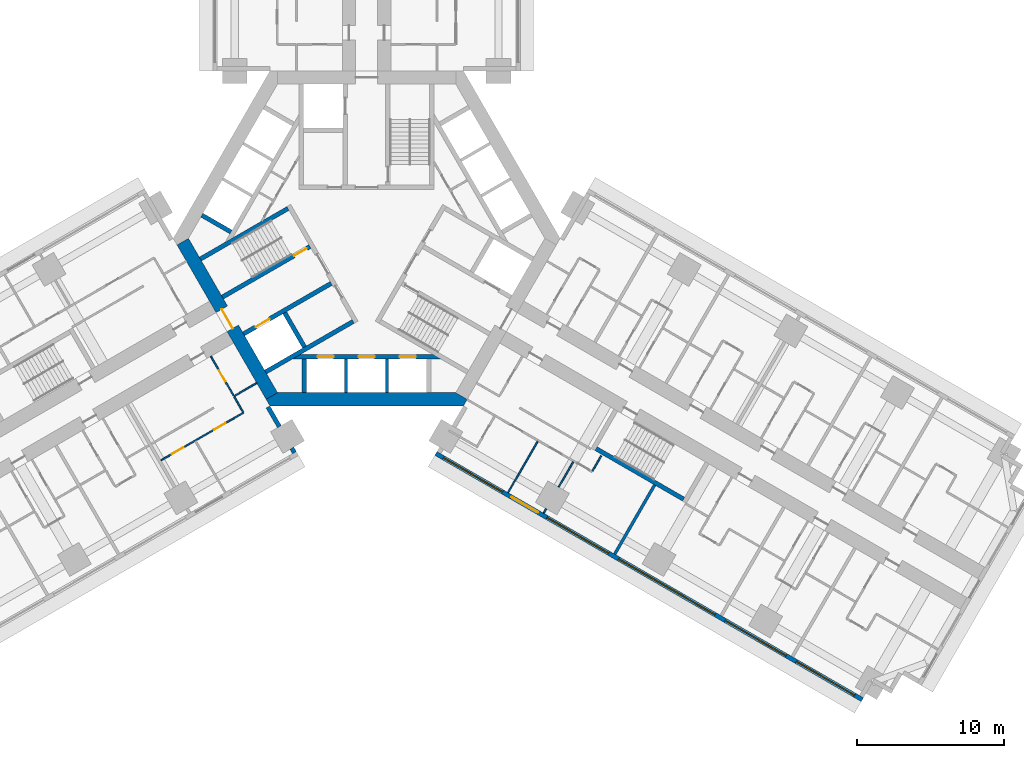
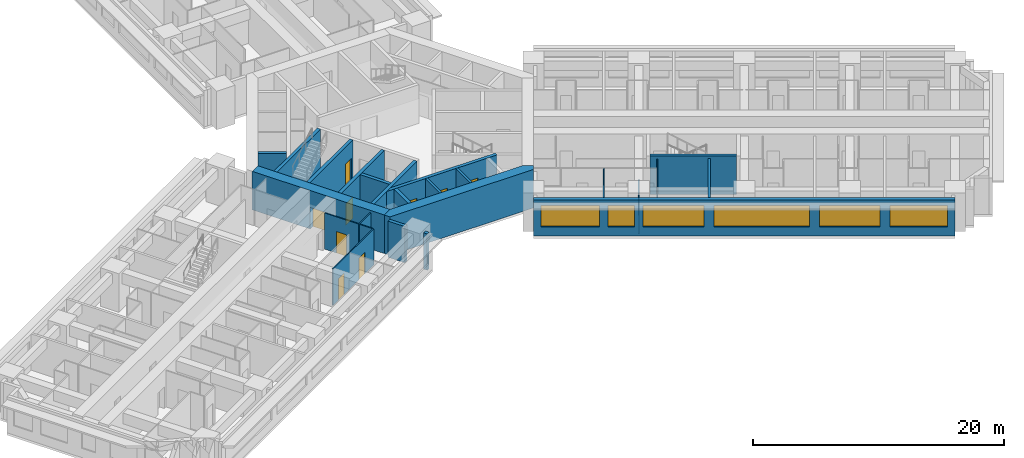
# One storey, part 6 of 16: 25 walls, 9 doors, 6 windows, 15 openings.
"""IFC4 building model written with IfcOpenShell, lengths in metres."""

from ifc_helpers import new_model, si_unit, direction, frame, frame_2d, origin, place, context, subcontext, project, spatial, polyline, rectangle, outline, extrude, material, layer, layer_set, type_object, element, fill, save


model = new_model("IFC4")

# Units and contexts
model_context = context("Model", 3, precision=1e-05, world=origin(), true_north=direction((0.0, 1.0)))
body_context = subcontext(model_context, "Body", "Model", "MODEL_VIEW")
ifc_project = project(units=[si_unit("LENGTHUNIT", "METRE"), si_unit("AREAUNIT", "SQUARE_METRE"), si_unit("VOLUMEUNIT", "CUBIC_METRE"), si_unit("PLANEANGLEUNIT", "RADIAN"), si_unit("MASSUNIT", "GRAM", prefix="KILO")], contexts=[model_context])

# Site, building, storey
site_placement = place(None, origin())
site = spatial("IfcSite", under=ifc_project, at=site_placement, CompositionType="ELEMENT")
building_placement = place(site_placement, origin())
building = spatial("IfcBuilding", under=site, at=building_placement, Name="Impinga Residences", CompositionType="ELEMENT")
storey_placement = place(building_placement, frame((0.0, 0.0, 37.25)))
storey = spatial("IfcBuildingStorey", under=building, at=storey_placement, Name="L08", CompositionType="ELEMENT", Elevation=37.25)

# Wall, openings, windows
ifc_material_1 = material(Name="Terracotta rainscreen on blockwork", Category="masonry")
ifc_layer_1 = layer(ifc_material_1, 0.300048828125)
ifc_layer_set_1 = layer_set([ifc_layer_1], Name="EW1 external wall, terracotta rainscreen on blockwork 300")
wall_type_1 = type_object("IfcWallType", Name="EW1 external wall, terracotta rainscreen on blockwork 300", PredefinedType="SOLIDWALL", material=ifc_layer_set_1)
wall_1_placement = place(storey_placement, frame((33.823486328125, -31.479248046875, 0.0), z_axis=(0.0, 0.0, 1.0), x_axis=(-0.866024291668, 0.500001926238, 0.0)))
wall_1 = element("IfcWall", 1, at=wall_1_placement, inside=storey, type_object=wall_type_1, Name="External wall EW1 L08", PredefinedType="SOLIDWALL", context=body_context, shape_type="SweptSolid", body=[
    extrude(rectangle(XDim=33.599853515625, YDim=0.300048828125, at=frame_2d((16.7998046875, 0.0))), origin(), (0.0, 0.0, 1.0), 3.530029296875),
])
opening_1_placement = place(wall_1_placement, frame((0.60009765625, 0.0, 0.89990234375)))
opening_1 = element("IfcOpeningElement", 2, at=opening_1_placement, cuts=wall_1, Name="Opening W3", PredefinedType="OPENING", context=body_context, shape_type="SweptSolid", body=[
    extrude(rectangle(XDim=4.60009765625, YDim=2.050048828125, at=frame_2d((2.300048828125, 1.02490234375))), frame((0.0, 0.159912109375, 0.0), z_axis=(0.0, -1.0, 0.0), x_axis=(1.0, 0.0, 0.0)), (0.0, 0.0, 1.0), 0.320068359375),
])
opening_2_placement = place(wall_1_placement, frame((6.0, 0.0, 0.89990234375)))
opening_2 = element("IfcOpeningElement", 3, at=opening_2_placement, cuts=wall_1, Name="Opening W8", PredefinedType="OPENING", context=body_context, shape_type="SweptSolid", body=[
    extrude(rectangle(XDim=4.800048828125, YDim=2.050048828125, at=frame_2d((2.39990234375, 1.02490234375))), frame((0.0, 0.159912109375, 0.0), z_axis=(0.0, -1.0, 0.0), x_axis=(1.0, 0.0, 0.0)), (0.0, 0.0, 1.0), 0.320068359375),
])
opening_3_placement = place(wall_1_placement, frame((11.60009765625, 0.0, 0.89990234375)))
opening_3 = element("IfcOpeningElement", 4, at=opening_3_placement, cuts=wall_1, Name="Opening W5", PredefinedType="OPENING", context=body_context, shape_type="SweptSolid", body=[
    extrude(rectangle(XDim=7.60009765625, YDim=2.050048828125, at=frame_2d((3.800048828125, 1.02490234375))), frame((0.0, 0.159912109375, 0.0), z_axis=(0.0, -1.0, 0.0), x_axis=(1.0, 0.0, 0.0)), (0.0, 0.0, 1.0), 0.320068359375),
])
opening_4_placement = place(wall_1_placement, frame((20.0, 0.0, 0.89990234375)))
opening_4 = element("IfcOpeningElement", 5, at=opening_4_placement, cuts=wall_1, Name="Opening W6", PredefinedType="OPENING", context=body_context, shape_type="SweptSolid", body=[
    extrude(rectangle(XDim=4.85009765625, YDim=2.050048828125, at=frame_2d((2.425048828125, 1.02490234375))), frame((0.0, 0.159912109375, 0.0), z_axis=(0.0, -1.0, 0.0), x_axis=(1.0, 0.0, 0.0)), (0.0, 0.0, 1.0), 0.320068359375),
])
opening_5_placement = place(wall_1_placement, frame((25.550048828125, 0.0, 0.89990234375)))
opening_5 = element("IfcOpeningElement", 6, at=opening_5_placement, cuts=wall_1, Name="Opening W9", PredefinedType="OPENING", context=body_context, shape_type="SweptSolid", body=[
    extrude(rectangle(XDim=2.10009765625, YDim=2.050048828125, at=frame_2d((1.050048828125, 1.02490234375))), frame((0.0, 0.159912109375, 0.0), z_axis=(0.0, -1.0, 0.0), x_axis=(1.0, 0.0, 0.0)), (0.0, 0.0, 1.0), 0.320068359375),
])
opening_6_placement = place(wall_1_placement, frame((28.35009765625, 0.0, 0.89990234375)))
opening_6 = element("IfcOpeningElement", 7, at=opening_6_placement, cuts=wall_1, Name="Opening W10", PredefinedType="OPENING", context=body_context, shape_type="SweptSolid", body=[
    extrude(rectangle(XDim=4.64990234375, YDim=2.050048828125, at=frame_2d((2.324951171875, 1.02490234375))), frame((0.0, 0.159912109375, 0.0), z_axis=(0.0, -1.0, 0.0), x_axis=(1.0, 0.0, 0.0)), (0.0, 0.0, 1.0), 0.320068359375),
])
ifc_material_2 = material(Name="Aluminium window, clear double glazing", Category="aluminium")
window_type_1 = type_object("IfcWindowType", Name="W10 ribbon window 4650x2050", PartitioningType="SINGLE_PANEL", PredefinedType="WINDOW", material=ifc_material_2)
window_1_placement = place(opening_6_placement, origin())
window_1 = element("IfcWindow", 8, at=window_1_placement, inside=storey, type_object=window_type_1, Name="Window L08", OverallHeight=2.050048828125, OverallWidth=4.64990234375, PartitioningType="SINGLE_PANEL", PredefinedType="WINDOW", context=body_context, shape_type="SweptSolid", body=[
    extrude(rectangle(XDim=4.64990234375, YDim=2.050048828125, at=frame_2d((2.324951171875, 1.02490234375))), frame((0.0, 0.030029296875, 0.0), z_axis=(0.0, -1.0, 0.0), x_axis=(1.0, 0.0, 0.0)), (0.0, 0.0, 1.0), 0.06005859375),
])
fill(opening_6, window_1)
window_type_2 = type_object("IfcWindowType", Name="W3 ribbon window 4600x2050", PartitioningType="SINGLE_PANEL", PredefinedType="WINDOW", material=ifc_material_2)
window_2_placement = place(opening_1_placement, origin())
window_2 = element("IfcWindow", 9, at=window_2_placement, inside=storey, type_object=window_type_2, Name="Window L08", OverallHeight=2.050048828125, OverallWidth=4.60009765625, PartitioningType="SINGLE_PANEL", PredefinedType="WINDOW", context=body_context, shape_type="SweptSolid", body=[
    extrude(rectangle(XDim=4.60009765625, YDim=2.050048828125, at=frame_2d((2.300048828125, 1.02490234375))), frame((0.0, 0.030029296875, 0.0), z_axis=(0.0, -1.0, 0.0), x_axis=(1.0, 0.0, 0.0)), (0.0, 0.0, 1.0), 0.06005859375),
])
fill(opening_1, window_2)
window_type_3 = type_object("IfcWindowType", Name="W5 ribbon window 7600x2050", PartitioningType="SINGLE_PANEL", PredefinedType="WINDOW", material=ifc_material_2)
window_3_placement = place(opening_3_placement, origin())
window_3 = element("IfcWindow", 10, at=window_3_placement, inside=storey, type_object=window_type_3, Name="Window L08", OverallHeight=2.050048828125, OverallWidth=7.60009765625, PartitioningType="SINGLE_PANEL", PredefinedType="WINDOW", context=body_context, shape_type="SweptSolid", body=[
    extrude(rectangle(XDim=7.60009765625, YDim=2.050048828125, at=frame_2d((3.800048828125, 1.02490234375))), frame((0.0, 0.030029296875, 0.0), z_axis=(0.0, -1.0, 0.0), x_axis=(1.0, 0.0, 0.0)), (0.0, 0.0, 1.0), 0.06005859375),
])
fill(opening_3, window_3)
window_type_4 = type_object("IfcWindowType", Name="W6 ribbon window 4850x2050", PartitioningType="SINGLE_PANEL", PredefinedType="WINDOW", material=ifc_material_2)
window_4_placement = place(opening_4_placement, origin())
window_4 = element("IfcWindow", 11, at=window_4_placement, inside=storey, type_object=window_type_4, Name="Window L08", OverallHeight=2.050048828125, OverallWidth=4.85009765625, PartitioningType="SINGLE_PANEL", PredefinedType="WINDOW", context=body_context, shape_type="SweptSolid", body=[
    extrude(rectangle(XDim=4.85009765625, YDim=2.050048828125, at=frame_2d((2.425048828125, 1.02490234375))), frame((0.0, 0.030029296875, 0.0), z_axis=(0.0, -1.0, 0.0), x_axis=(1.0, 0.0, 0.0)), (0.0, 0.0, 1.0), 0.06005859375),
])
fill(opening_4, window_4)
window_type_5 = type_object("IfcWindowType", Name="W8 ribbon window 4800x2050", PartitioningType="SINGLE_PANEL", PredefinedType="WINDOW", material=ifc_material_2)
window_5_placement = place(opening_2_placement, origin())
window_5 = element("IfcWindow", 12, at=window_5_placement, inside=storey, type_object=window_type_5, Name="Window L08", OverallHeight=2.050048828125, OverallWidth=4.800048828125, PartitioningType="SINGLE_PANEL", PredefinedType="WINDOW", context=body_context, shape_type="SweptSolid", body=[
    extrude(rectangle(XDim=4.800048828125, YDim=2.050048828125, at=frame_2d((2.39990234375, 1.02490234375))), frame((0.0, 0.030029296875, 0.0), z_axis=(0.0, -1.0, 0.0), x_axis=(1.0, 0.0, 0.0)), (0.0, 0.0, 1.0), 0.06005859375),
])
fill(opening_2, window_5)
window_type_6 = type_object("IfcWindowType", Name="W9 ribbon window 2100x2050", PartitioningType="SINGLE_PANEL", PredefinedType="WINDOW", material=ifc_material_2)
window_6_placement = place(opening_5_placement, origin())
window_6 = element("IfcWindow", 13, at=window_6_placement, inside=storey, type_object=window_type_6, Name="Window L08", OverallHeight=2.050048828125, OverallWidth=2.10009765625, PartitioningType="SINGLE_PANEL", PredefinedType="WINDOW", context=body_context, shape_type="SweptSolid", body=[
    extrude(rectangle(XDim=2.10009765625, YDim=2.050048828125, at=frame_2d((1.050048828125, 1.02490234375))), frame((0.0, 0.030029296875, 0.0), z_axis=(0.0, -1.0, 0.0), x_axis=(1.0, 0.0, 0.0)), (0.0, 0.0, 1.0), 0.06005859375),
])
fill(opening_5, window_6)

# Walls
wall_2_placement = place(storey_placement, frame((-6.72998046875, -11.506591796875, 0.0), z_axis=(0.0, 0.0, 1.0), x_axis=(0.500086022567, -0.865975732936, 0.0)))
element("IfcWall", 14, at=wall_2_placement, inside=storey, type_object=wall_type_1, Name="External wall EW1 L08", PredefinedType="SOLIDWALL", context=body_context, shape_type="SweptSolid", body=[
    extrude(rectangle(XDim=1.550048828125, YDim=0.300048828125, at=frame_2d((0.77490234375, 0.0))), origin(), (0.0, 0.0, 1.0), 3.530029296875),
])
wall_3_placement = place(storey_placement, frame((-5.10498046875, -14.321044921875, 0.0), z_axis=(0.0, 0.0, 1.0), x_axis=(0.49996389635, -0.866046247233, 0.0)))
element("IfcWall", 15, at=wall_3_placement, inside=storey, type_object=wall_type_1, Name="External wall EW1 L08", PredefinedType="SOLIDWALL", context=body_context, shape_type="SweptSolid", body=[
    extrude(rectangle(XDim=0.35009765625, YDim=0.300048828125, at=frame_2d((0.175048828125, 0.0))), origin(), (0.0, 0.0, 1.0), 3.530029296875),
])
ifc_material_3 = material(Name="Gypsum board on steel studs", Category="steel")
ifc_layer_2 = layer(ifc_material_3, 0.10009765625)
ifc_layer_set_2 = layer_set([ifc_layer_2], Name="Gypsum board on steel studs")
wall_type_2 = type_object("IfcWallType", Name="IP1 partition 100", PredefinedType="PARTITIONING", material=ifc_layer_set_2)
wall_4_placement = place(storey_placement, frame((-7.5, -9.872802734375, 0.0), z_axis=(0.0, 0.0, 1.0), x_axis=(-0.866047807691, -0.499961193289, 0.0)))
element("IfcWall", 16, at=wall_4_placement, inside=storey, type_object=wall_type_2, Name="Partition L08-WA1:DIV0", PredefinedType="PARTITIONING", context=body_context, shape_type="SweptSolid", body=[
    extrude(rectangle(XDim=1.800048828125, YDim=0.10009765625, at=frame_2d((0.89990234375, 0.0))), origin(), (0.0, 0.0, 1.0), 3.530029296875),
])

# Wall, openings, doors
wall_5_placement = place(storey_placement, frame((-8.408935546875, -11.8984375, 0.0), z_axis=(0.0, 0.0, 1.0), x_axis=(-0.866024837091, -0.50000098154, 0.0)))
wall_5 = element("IfcWall", 17, at=wall_5_placement, inside=storey, type_object=wall_type_2, Name="Partition L08-WA1:STRIP", PredefinedType="PARTITIONING", context=body_context, shape_type="SweptSolid", body=[
    extrude(rectangle(XDim=6.5, YDim=0.10009765625, at=frame_2d((3.25, 0.0))), origin(), (0.0, 0.0, 1.0), 3.530029296875),
])
opening_7_placement = place(wall_5_placement, frame((1.425048828125, 0.0, 0.0)))
opening_7 = element("IfcOpeningElement", 18, at=opening_7_placement, cuts=wall_5, Name="Opening D2", PredefinedType="OPENING", context=body_context, shape_type="SweptSolid", body=[
    extrude(rectangle(XDim=0.89990234375, YDim=2.10009765625, at=frame_2d((0.449951171875, 1.050048828125))), frame((0.0, 0.06005859375, 0.0), z_axis=(0.0, -1.0, 0.0), x_axis=(1.0, 0.0, 0.0)), (0.0, 0.0, 1.0), 0.1201171875),
])
opening_8_placement = place(wall_5_placement, frame((4.72509765625, 0.0, 0.0)))
opening_8 = element("IfcOpeningElement", 19, at=opening_8_placement, cuts=wall_5, Name="Opening D2", PredefinedType="OPENING", context=body_context, shape_type="SweptSolid", body=[
    extrude(rectangle(XDim=0.89990234375, YDim=2.10009765625, at=frame_2d((0.449951171875, 1.050048828125))), frame((0.0, 0.06005859375, 0.0), z_axis=(0.0, -1.0, 0.0), x_axis=(1.0, 0.0, 0.0)), (0.0, 0.0, 1.0), 0.1201171875),
])
ifc_material_4 = material(Name="Timber door set", Category="wood")
door_type_1 = type_object("IfcDoorType", Name="D2 internal door 900x2100", OperationType="SINGLE_SWING_LEFT", PredefinedType="DOOR", material=ifc_material_4)
door_1_placement = place(opening_7_placement, origin())
door_1 = element("IfcDoor", 20, at=door_1_placement, inside=storey, type_object=door_type_1, Name="Apartment L08-WA1 room door", OperationType="SINGLE_SWING_LEFT", OverallHeight=2.10009765625, OverallWidth=0.89990234375, PredefinedType="DOOR", context=body_context, shape_type="SweptSolid", body=[
    extrude(rectangle(XDim=0.89990234375, YDim=2.10009765625, at=frame_2d((0.449951171875, 1.050048828125))), frame((0.0, 0.02490234375, 0.0), z_axis=(0.0, -1.0, 0.0), x_axis=(1.0, 0.0, 0.0)), (0.0, 0.0, 1.0), 0.050048828125),
])
fill(opening_7, door_1)
door_2_placement = place(opening_8_placement, origin())
door_2 = element("IfcDoor", 21, at=door_2_placement, inside=storey, type_object=door_type_1, Name="Apartment L08-WA1 room door", OperationType="SINGLE_SWING_RIGHT", OverallHeight=2.10009765625, OverallWidth=0.89990234375, PredefinedType="DOOR", context=body_context, shape_type="SweptSolid", body=[
    extrude(rectangle(XDim=0.89990234375, YDim=2.10009765625, at=frame_2d((0.449951171875, 1.050048828125))), frame((0.0, 0.02490234375, 0.0), z_axis=(0.0, -1.0, 0.0), x_axis=(1.0, 0.0, 0.0)), (0.0, 0.0, 1.0), 0.050048828125),
])
fill(opening_8, door_2)

# Wall
wall_6_placement = place(storey_placement, frame((-9.033935546875, -10.81591796875, 0.0), z_axis=(0.0, 0.0, 1.0), x_axis=(0.500033551112, -0.866006032174, 0.0)))
element("IfcWall", 22, at=wall_6_placement, inside=storey, type_object=wall_type_2, Name="Partition L08-WA1:SE0", PredefinedType="PARTITIONING", context=body_context, shape_type="SweptSolid", body=[
    extrude(rectangle(XDim=1.2001953125, YDim=0.10009765625, at=frame_2d((0.60009765625, 0.0))), origin(), (0.0, 0.0, 1.0), 3.530029296875),
])

# Wall, opening, door
wall_7_placement = place(storey_placement, frame((-10.6337890625, -8.044677734375, 0.0), z_axis=(0.0, 0.0, 1.0), x_axis=(0.49999285859, -0.86602952684, 0.0)))
wall_7 = element("IfcWall", 23, at=wall_7_placement, inside=storey, type_object=wall_type_2, Name="Partition L08-WA1:IB1", PredefinedType="PARTITIONING", context=body_context, shape_type="SweptSolid", body=[
    extrude(rectangle(XDim=3.10009765625, YDim=0.10009765625, at=frame_2d((1.550048828125, 0.0))), origin(), (0.0, 0.0, 1.0), 3.530029296875),
])
opening_9_placement = place(wall_7_placement, frame((1.10009765625, 0.0, 0.0)))
opening_9 = element("IfcOpeningElement", 24, at=opening_9_placement, cuts=wall_7, Name="Opening D2", PredefinedType="OPENING", context=body_context, shape_type="SweptSolid", body=[
    extrude(rectangle(XDim=0.89990234375, YDim=2.10009765625, at=frame_2d((0.449951171875, 1.050048828125))), frame((0.0, 0.06005859375, 0.0), z_axis=(0.0, -1.0, 0.0), x_axis=(1.0, 0.0, 0.0)), (0.0, 0.0, 1.0), 0.1201171875),
])
door_3_placement = place(opening_9_placement, origin())
door_3 = element("IfcDoor", 25, at=door_3_placement, inside=storey, type_object=door_type_1, Name="Apartment L08-WA1 bathroom door", OperationType="SINGLE_SWING_LEFT", OverallHeight=2.10009765625, OverallWidth=0.89990234375, PredefinedType="DOOR", context=body_context, shape_type="SweptSolid", body=[
    extrude(rectangle(XDim=0.89990234375, YDim=2.10009765625, at=frame_2d((0.449951171875, 1.050048828125))), frame((0.0, 0.02490234375, 0.0), z_axis=(0.0, -1.0, 0.0), x_axis=(1.0, 0.0, 0.0)), (0.0, 0.0, 1.0), 0.050048828125),
])
fill(opening_9, door_3)

# Walls
wall_8_placement = place(storey_placement, frame((16.00537109375, -14.841064453125, 0.0), z_axis=(0.0, 0.0, 1.0), x_axis=(-0.50012165622, -0.865955154139, 0.0)))
element("IfcWall", 26, at=wall_8_placement, inside=storey, type_object=wall_type_2, Name="Partition L08-EF1:SE1", PredefinedType="PARTITIONING", context=body_context, shape_type="SweptSolid", body=[
    extrude(rectangle(XDim=1.199951171875, YDim=0.10009765625, at=frame_2d((0.60009765625, 0.0))), origin(), (0.0, 0.0, 1.0), 3.530029296875),
])
wall_9_placement = place(storey_placement, frame((11.6748046875, -13.841796875, 0.0), z_axis=(0.0, 0.0, 1.0), x_axis=(-0.500035537042, -0.866004885491, 0.0)))
element("IfcWall", 27, at=wall_9_placement, inside=storey, type_object=wall_type_2, Name="Partition L08-EF1:OB1", PredefinedType="PARTITIONING", context=body_context, shape_type="SweptSolid", body=[
    extrude(rectangle(XDim=4.050048828125, YDim=0.10009765625, at=frame_2d((2.02490234375, 0.0))), origin(), (0.0, 0.0, 1.0), 3.530029296875),
])
wall_10_placement = place(storey_placement, frame((14.099609375, -15.241943359375, 0.0), z_axis=(0.0, 0.0, 1.0), x_axis=(-0.50002537861, -0.866010750942, 0.0)))
element("IfcWall", 28, at=wall_10_placement, inside=storey, type_object=wall_type_2, Name="Partition L08-EF1:OB2", PredefinedType="PARTITIONING", context=body_context, shape_type="SweptSolid", body=[
    extrude(rectangle(XDim=2.0, YDim=0.10009765625, at=frame_2d((1.0, 0.0))), origin(), (0.0, 0.0, 1.0), 2.47998046875),
])
wall_11_placement = place(storey_placement, frame((12.24951171875, -18.446044921875, 0.0), z_axis=(0.0, 0.0, 1.0), x_axis=(-0.499440622861, -0.866348119543, 0.0)))
element("IfcWall", 29, at=wall_11_placement, inside=storey, type_object=wall_type_2, Name="Partition L08-EF1:OB2b", PredefinedType="PARTITIONING", context=body_context, shape_type="SweptSolid", body=[
    extrude(rectangle(XDim=0.35009765625, YDim=0.10009765625, at=frame_2d((0.175048828125, 0.0))), origin(), (0.0, 0.0, 1.0), 3.530029296875),
])
ifc_material_5 = material(Name="Concrete blockwork", Category="masonry")
ifc_layer_3 = layer(ifc_material_5, 0.199951171875)
ifc_layer_set_3 = layer_set([ifc_layer_3], Name="PW1 party wall between apartments 200")
wall_type_3 = type_object("IfcWallType", Name="PW1 party wall between apartments 200", PredefinedType="SOLIDWALL", material=ifc_layer_set_3)
wall_12_placement = place(storey_placement, frame((19.6494140625, -16.829345703125, 0.0), z_axis=(0.0, 0.0, 1.0), x_axis=(-0.500002931134, -0.866023711487, 0.0)))
element("IfcWall", 30, at=wall_12_placement, inside=storey, type_object=wall_type_3, Name="Party wall between apartments L08-EF1:PARTY", PredefinedType="SOLIDWALL", context=body_context, shape_type="SweptSolid", body=[
    extrude(rectangle(XDim=5.4501953125, YDim=0.199951171875, at=frame_2d((2.72509765625, 0.0))), origin(), (0.0, 0.0, 1.0), 3.530029296875),
])
ifc_material_6 = material(Name="Concrete C60/75", Category="concrete")
ifc_layer_4 = layer(ifc_material_6, 0.300048828125)
ifc_layer_set_4 = layer_set([ifc_layer_4], Name="Concrete C60/75")
wall_type_4 = type_object("IfcWallType", Name="SE1 wing stair enclosure wall 300", PredefinedType="SOLIDWALL", material=ifc_layer_set_4)
wall_13_placement = place(storey_placement, frame((15.654052734375, -14.349365234375, 0.0), z_axis=(0.0, 0.0, 1.0), x_axis=(0.866013532718, -0.500020560727, 0.0)))
element("IfcWall", 31, at=wall_13_placement, inside=storey, type_object=wall_type_4, Name="Stair enclosure wall SE1 E OUT L08", PredefinedType="SOLIDWALL", context=body_context, shape_type="SweptSolid", body=[
    extrude(rectangle(XDim=6.900146484375, YDim=0.300048828125, at=frame_2d((3.4501953125, 0.0))), origin(), (0.0, 0.0, 1.0), 3.75),
])

# Wall, opening, door
ifc_material_7 = material(Name="Concrete C70/85", Category="concrete")
ifc_layer_5 = layer(ifc_material_7, 0.89990234375)
ifc_layer_set_5 = layer_set([ifc_layer_5], Name="Concrete C70/85")
wall_type_5 = type_object("IfcWallType", Name="SW1 core wall 900", PredefinedType="SHEAR", material=ifc_layer_set_5)
wall_14_placement = place(storey_placement, frame((-6.47021484375, -10.756591796875, 0.0), z_axis=(0.0, 0.0, 1.0), x_axis=(-0.499997612506, 0.8660267822, 0.0)))
wall_14 = element("IfcWall", 32, at=wall_14_placement, inside=storey, type_object=wall_type_5, Name="Core wall SW1 W:FACE L08", PredefinedType="SHEAR", context=body_context, shape_type="SweptSolid", body=[
    extrude(rectangle(XDim=12.16064453125, YDim=0.89990234375, at=frame_2d((6.080322265625, 0.0))), origin(), (0.0, 0.0, 1.0), 3.75),
])
opening_10_placement = place(wall_14_placement, frame((5.330322265625, 0.0, 0.0)))
opening_10 = element("IfcOpeningElement", 33, at=opening_10_placement, cuts=wall_14, Name="Opening D4", PredefinedType="OPENING", context=body_context, shape_type="SweptSolid", body=[
    extrude(rectangle(XDim=1.5, YDim=2.10009765625, at=frame_2d((0.75, 1.050048828125))), frame((0.0, 0.4599609375, 0.0), z_axis=(0.0, -1.0, 0.0), x_axis=(1.0, 0.0, 0.0)), (0.0, 0.0, 1.0), 0.919921875),
])
door_type_2 = type_object("IfcDoorType", Name="D4 lobby door pair 1500x2100", OperationType="DOUBLE_DOOR_DOUBLE_SWING", PredefinedType="DOOR", material=ifc_material_4)
door_4_placement = place(opening_10_placement, origin())
door_4 = element("IfcDoor", 34, at=door_4_placement, inside=storey, type_object=door_type_2, Name="Lobby door W", OperationType="DOUBLE_DOOR_DOUBLE_SWING", OverallHeight=2.10009765625, OverallWidth=1.5, PredefinedType="DOOR", context=body_context, shape_type="SweptSolid", body=[
    extrude(rectangle(XDim=1.5, YDim=2.10009765625, at=frame_2d((0.75, 1.050048828125))), frame((0.0, 0.02490234375, 0.0), z_axis=(0.0, -1.0, 0.0), x_axis=(1.0, 0.0, 0.0)), (0.0, 0.0, 1.0), 0.050048828125),
])
fill(opening_10, door_4)

# Wall
wall_15_placement = place(storey_placement, origin())
element("IfcWall", 35, at=wall_15_placement, inside=storey, type_object=wall_type_5, Name="Core wall SW1 N:EXPOSED L08", PredefinedType="SHEAR", context=body_context, shape_type="SweptSolid", body=[
    extrude(outline(polyline([(-6.60009765625, -11.431640625), (6.60009765625, -11.431640625), (6.85986328125, -10.9814453125), (6.080322265625, -10.531494140625), (-6.080322265625, -10.531494140625), (-6.85986328125, -10.9814453125), (-6.60009765625, -11.431640625)])), origin(), (0.0, 0.0, 1.0), 3.75),
])

# Wall, opening, door
ifc_layer_6 = layer(ifc_material_7, 0.300048828125)
ifc_layer_set_6 = layer_set([ifc_layer_6], Name="Concrete C70/85")
wall_type_6 = type_object("IfcWallType", Name="SW5 core inner wall, stairs, shafts and lobbies 300", PredefinedType="SHEAR", material=ifc_layer_set_6)
wall_16_placement = place(storey_placement, frame((-3.86865234375, -0.559326171875, 0.0), z_axis=(0.0, 0.0, 1.0), x_axis=(-0.86602711848, -0.499997030048, 0.0)))
wall_16 = element("IfcWall", 36, at=wall_16_placement, inside=storey, type_object=wall_type_6, Name="Core wall SW5 W:ST-IN L08", PredefinedType="SHEAR", context=body_context, shape_type="SweptSolid", body=[
    extrude(rectangle(XDim=6.9013671875, YDim=0.300048828125, at=frame_2d((3.45068359375, 0.0))), origin(), (0.0, 0.0, 1.0), 3.75),
])
opening_11_placement = place(wall_16_placement, frame((0.25, 0.0, 0.0)))
opening_11 = element("IfcOpeningElement", 37, at=opening_11_placement, cuts=wall_16, Name="Opening D5", PredefinedType="OPENING", context=body_context, shape_type="SweptSolid", body=[
    extrude(rectangle(XDim=1.0, YDim=2.10009765625, at=frame_2d((0.5, 1.050048828125))), frame((0.0, 0.159912109375, 0.0), z_axis=(0.0, -1.0, 0.0), x_axis=(1.0, 0.0, 0.0)), (0.0, 0.0, 1.0), 0.320068359375),
])
door_type_3 = type_object("IfcDoorType", Name="D5 stair door 1000x2100", OperationType="SINGLE_SWING_LEFT", PredefinedType="DOOR", material=ifc_material_4)
door_5_placement = place(opening_11_placement, origin())
door_5 = element("IfcDoor", 38, at=door_5_placement, inside=storey, type_object=door_type_3, Name="Stair door W", OperationType="SINGLE_SWING_LEFT", OverallHeight=2.10009765625, OverallWidth=1.0, PredefinedType="DOOR", context=body_context, shape_type="SweptSolid", body=[
    extrude(rectangle(XDim=1.0, YDim=2.10009765625, at=frame_2d((0.5, 1.050048828125))), frame((0.0, 0.02490234375, 0.0), z_axis=(0.0, -1.0, 0.0), x_axis=(1.0, 0.0, 0.0)), (0.0, 0.0, 1.0), 0.050048828125),
])
fill(opening_11, door_5)

# Wall
wall_17_placement = place(storey_placement, frame((-5.36865234375, 2.038818359375, 0.0), z_axis=(0.0, 0.0, 1.0), x_axis=(-0.86602711848, -0.499997030048, 0.0)))
element("IfcWall", 39, at=wall_17_placement, inside=storey, type_object=wall_type_6, Name="Core wall SW5 W:ST-OUT L08", PredefinedType="SHEAR", context=body_context, shape_type="SweptSolid", body=[
    extrude(rectangle(XDim=6.9013671875, YDim=0.300048828125, at=frame_2d((3.45068359375, 0.0))), origin(), (0.0, 0.0, 1.0), 3.75),
])

# Wall, opening, door
wall_18_placement = place(storey_placement, frame((-2.418701171875, -3.07080078125, 0.0), z_axis=(0.0, 0.0, 1.0), x_axis=(-0.86602711848, -0.499997030048, 0.0)))
wall_18 = element("IfcWall", 40, at=wall_18_placement, inside=storey, type_object=wall_type_6, Name="Core wall SW5 W:FF-IN L08", PredefinedType="SHEAR", context=body_context, shape_type="SweptSolid", body=[
    extrude(rectangle(XDim=6.9013671875, YDim=0.300048828125, at=frame_2d((3.45068359375, 0.0))), origin(), (0.0, 0.0, 1.0), 3.75),
])
opening_12_placement = place(wall_18_placement, frame((4.85009765625, 0.0, 0.0)))
opening_12 = element("IfcOpeningElement", 41, at=opening_12_placement, cuts=wall_18, Name="Opening LD2", PredefinedType="OPENING", context=body_context, shape_type="SweptSolid", body=[
    extrude(rectangle(XDim=1.10009765625, YDim=2.10009765625, at=frame_2d((0.550048828125, 1.050048828125))), frame((0.0, 0.159912109375, 0.0), z_axis=(0.0, -1.0, 0.0), x_axis=(1.0, 0.0, 0.0)), (0.0, 0.0, 1.0), 0.320068359375),
])
ifc_material_8 = material(Name="Steel lift landing door", Category="steel")
door_type_4 = type_object("IfcDoorType", Name="LD2 firefighting lift landing door 1100x2100", OperationType="DOUBLE_DOOR_SLIDING", PredefinedType="DOOR", material=ifc_material_8)
door_6_placement = place(opening_12_placement, origin())
door_6 = element("IfcDoor", 42, at=door_6_placement, inside=storey, type_object=door_type_4, Name="Firefighting lift landing door F2", OperationType="DOUBLE_DOOR_SLIDING", OverallHeight=2.10009765625, OverallWidth=1.10009765625, PredefinedType="DOOR", context=body_context, shape_type="SweptSolid", body=[
    extrude(rectangle(XDim=1.10009765625, YDim=2.10009765625, at=frame_2d((0.550048828125, 1.050048828125))), frame((0.0, 0.02490234375, 0.0), z_axis=(0.0, -1.0, 0.0), x_axis=(1.0, 0.0, 0.0)), (0.0, 0.0, 1.0), 0.050048828125),
])
fill(opening_12, door_6)

# Walls
wall_19_placement = place(storey_placement, frame((-0.918701171875, -5.668701171875, 0.0), z_axis=(0.0, 0.0, 1.0), x_axis=(-0.866011800373, -0.500023561059, 0.0)))
element("IfcWall", 43, at=wall_19_placement, inside=storey, type_object=wall_type_6, Name="Core wall SW5 W:FF-OUT L08", PredefinedType="SHEAR", context=body_context, shape_type="SweptSolid", body=[
    extrude(rectangle(XDim=6.901611328125, YDim=0.300048828125, at=frame_2d((3.45068359375, 0.0))), origin(), (0.0, 0.0, 1.0), 3.75),
])
wall_20_placement = place(storey_placement, frame((-4.2412109375, -7.413818359375, 0.0), z_axis=(0.0, 0.0, 1.0), x_axis=(-0.500048589285, 0.86599734893, 0.0)))
element("IfcWall", 44, at=wall_20_placement, inside=storey, type_object=wall_type_6, Name="Core wall SW5 W:FF-RS L08", PredefinedType="SHEAR", context=body_context, shape_type="SweptSolid", body=[
    extrude(rectangle(XDim=2.699951171875, YDim=0.300048828125, at=frame_2d((1.35009765625, 0.0))), origin(), (0.0, 0.0, 1.0), 3.75),
])

# Wall, openings, doors
wall_21_placement = place(storey_placement, frame((5.09765625, -8.08154296875, 0.0), z_axis=(0.0, 0.0, 1.0), x_axis=(-1.0, 0.0, 0.0)))
wall_21 = element("IfcWall", 45, at=wall_21_placement, inside=storey, type_object=wall_type_6, Name="Core wall SW5 N:BANK-FRONT L08", PredefinedType="SHEAR", context=body_context, shape_type="SweptSolid", body=[
    extrude(rectangle(XDim=10.1953125, YDim=0.300048828125, at=frame_2d((5.09765625, 0.0))), origin(), (0.0, 0.0, 1.0), 3.75),
])
opening_13_placement = place(wall_21_placement, frame((1.74755859375, 0.0, 0.0)))
opening_13 = element("IfcOpeningElement", 46, at=opening_13_placement, cuts=wall_21, Name="Opening LD1", PredefinedType="OPENING", context=body_context, shape_type="SweptSolid", body=[
    extrude(rectangle(XDim=1.10009765625, YDim=2.10009765625, at=frame_2d((0.550048828125, 1.050048828125))), frame((0.0, 0.159912109375, 0.0), z_axis=(0.0, -1.0, 0.0), x_axis=(1.0, 0.0, 0.0)), (0.0, 0.0, 1.0), 0.320068359375),
])
opening_14_placement = place(wall_21_placement, frame((4.547607421875, 0.0, 0.0)))
opening_14 = element("IfcOpeningElement", 47, at=opening_14_placement, cuts=wall_21, Name="Opening LD1", PredefinedType="OPENING", context=body_context, shape_type="SweptSolid", body=[
    extrude(rectangle(XDim=1.10009765625, YDim=2.10009765625, at=frame_2d((0.550048828125, 1.050048828125))), frame((0.0, 0.159912109375, 0.0), z_axis=(0.0, -1.0, 0.0), x_axis=(1.0, 0.0, 0.0)), (0.0, 0.0, 1.0), 0.320068359375),
])
opening_15_placement = place(wall_21_placement, frame((7.34765625, 0.0, 0.0)))
opening_15 = element("IfcOpeningElement", 48, at=opening_15_placement, cuts=wall_21, Name="Opening LD1", PredefinedType="OPENING", context=body_context, shape_type="SweptSolid", body=[
    extrude(rectangle(XDim=1.10009765625, YDim=2.10009765625, at=frame_2d((0.550048828125, 1.050048828125))), frame((0.0, 0.159912109375, 0.0), z_axis=(0.0, -1.0, 0.0), x_axis=(1.0, 0.0, 0.0)), (0.0, 0.0, 1.0), 0.320068359375),
])
door_type_5 = type_object("IfcDoorType", Name="LD1 passenger lift landing door 1100x2100", OperationType="DOUBLE_DOOR_SLIDING", PredefinedType="DOOR", material=ifc_material_8)
door_7_placement = place(opening_13_placement, origin())
door_7 = element("IfcDoor", 49, at=door_7_placement, inside=storey, type_object=door_type_5, Name="Lift landing door P1", OperationType="DOUBLE_DOOR_SLIDING", OverallHeight=2.10009765625, OverallWidth=1.10009765625, PredefinedType="DOOR", context=body_context, shape_type="SweptSolid", body=[
    extrude(rectangle(XDim=1.10009765625, YDim=2.10009765625, at=frame_2d((0.550048828125, 1.050048828125))), frame((0.0, 0.02490234375, 0.0), z_axis=(0.0, -1.0, 0.0), x_axis=(1.0, 0.0, 0.0)), (0.0, 0.0, 1.0), 0.050048828125),
])
fill(opening_13, door_7)
door_8_placement = place(opening_14_placement, origin())
door_8 = element("IfcDoor", 50, at=door_8_placement, inside=storey, type_object=door_type_5, Name="Lift landing door P2", OperationType="DOUBLE_DOOR_SLIDING", OverallHeight=2.10009765625, OverallWidth=1.10009765625, PredefinedType="DOOR", context=body_context, shape_type="SweptSolid", body=[
    extrude(rectangle(XDim=1.10009765625, YDim=2.10009765625, at=frame_2d((0.550048828125, 1.050048828125))), frame((0.0, 0.02490234375, 0.0), z_axis=(0.0, -1.0, 0.0), x_axis=(1.0, 0.0, 0.0)), (0.0, 0.0, 1.0), 0.050048828125),
])
fill(opening_14, door_8)
door_9_placement = place(opening_15_placement, origin())
door_9 = element("IfcDoor", 51, at=door_9_placement, inside=storey, type_object=door_type_5, Name="Lift landing door P3", OperationType="DOUBLE_DOOR_SLIDING", OverallHeight=2.10009765625, OverallWidth=1.10009765625, PredefinedType="DOOR", context=body_context, shape_type="SweptSolid", body=[
    extrude(rectangle(XDim=1.10009765625, YDim=2.10009765625, at=frame_2d((0.550048828125, 1.050048828125))), frame((0.0, 0.02490234375, 0.0), z_axis=(0.0, -1.0, 0.0), x_axis=(1.0, 0.0, 0.0)), (0.0, 0.0, 1.0), 0.050048828125),
])
fill(opening_15, door_9)

# Walls
for number, where, z_axis, x_axis, name in (
    (52, (-4.25, -8.2314453125, 0.0), (0.0, 0.0, 1.0), (0.0, -1.0, 0.0), "Core wall SW5 N:BANK-R L08"),
    (53, (-9.253662109375, 0.43505859375, 0.0), (0.0, 0.0, 1.0), (-0.866007057882, 0.500031774688, 0.0), "Core wall SW5 E:BANK-L L08"),
):
    element("IfcWall", number, at=place(storey_placement, frame(where, z_axis=z_axis, x_axis=x_axis)), inside=storey, type_object=wall_type_6, Name=name, PredefinedType="SHEAR", context=body_context, shape_type="SweptSolid", body=[
        extrude(rectangle(XDim=2.300048828125, YDim=0.300048828125, at=frame_2d((1.14990234375, 0.0))), origin(), (0.0, 0.0, 1.0), 3.75),
    ])
ifc_layer_7 = layer(ifc_material_7, 0.199951171875)
ifc_layer_set_7 = layer_set([ifc_layer_7], Name="Concrete C70/85")
wall_type_7 = type_object("IfcWallType", Name="SW6 lift shaft divider wall 200", PredefinedType="SHEAR", material=ifc_layer_set_7)
for number, where, z_axis, x_axis, name in (
    (54, (1.39990234375, -8.2314453125, 0.0), (0.0, 0.0, 1.0), (0.0, -1.0, 0.0), "Core wall SW6 N:BANK-D1 L08"),
    (55, (-1.39990234375, -8.2314453125, 0.0), (0.0, 0.0, 1.0), (0.0, -1.0, 0.0), "Core wall SW6 N:BANK-D2 L08"),
):
    element("IfcWall", number, at=place(storey_placement, frame(where, z_axis=z_axis, x_axis=x_axis)), inside=storey, type_object=wall_type_7, Name=name, PredefinedType="SHEAR", context=body_context, shape_type="SweptSolid", body=[
        extrude(rectangle(XDim=2.300048828125, YDim=0.199951171875, at=frame_2d((1.14990234375, 0.0))), origin(), (0.0, 0.0, 1.0), 3.75),
    ])

save(model, "model.ifc")
